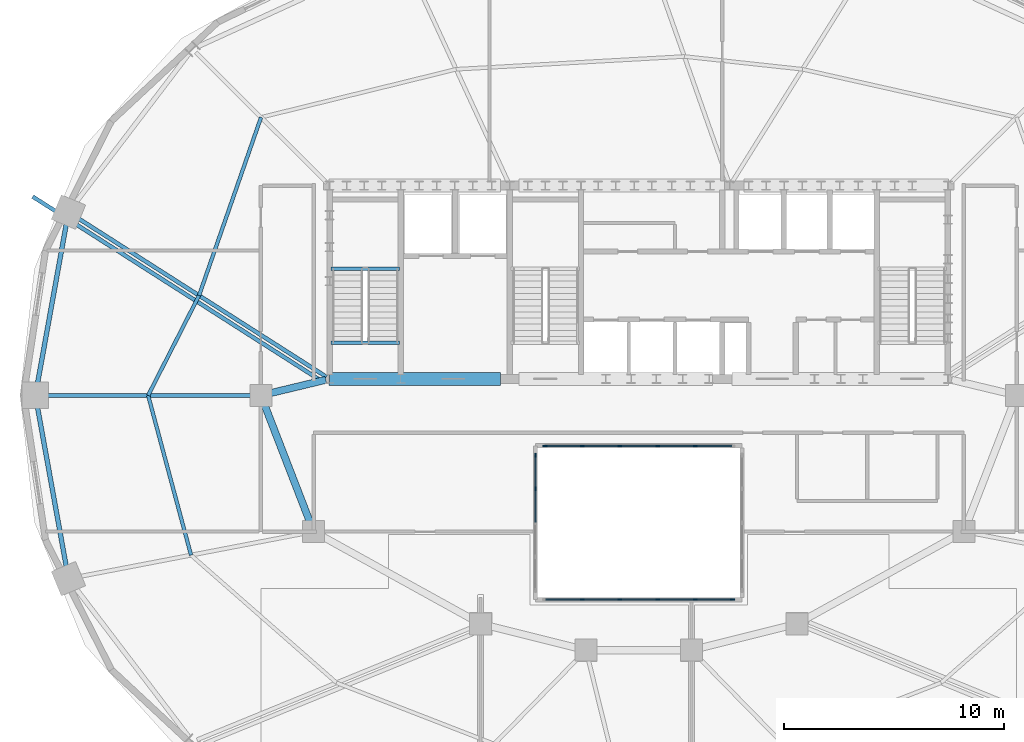
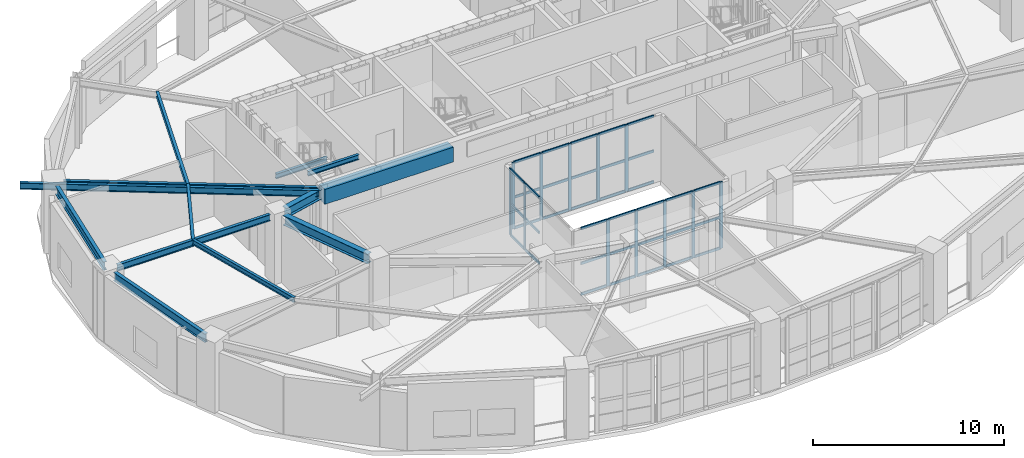
# One storey, part 4 of 16: 48 members, 13 beams, 3 elements without a shape of their own.
"""IFC4 building model written with IfcOpenShell, lengths in metres."""

import ifcopenshell
import ifcopenshell.guid

model = None  # the IFC model being written
_history = None  # IfcOwnerHistory: only IFC2X3 demands one
_inside = {}  # id of a spatial element -> (the spatial element, [elements in it])
_under = {}  # id of a project, library or spatial element -> (it, [spatial elements below it])
_declared = {}  # id of a project -> (the project, [libraries it declares])
_typed = {}  # id of a type object -> (the type object, [elements of that type])
_made_of = {}  # id of a material, layer set ... -> (it, [elements and type objects made of it])


def new_model(schema):
    """Start an empty IFC model of exactly this schema.

    Asked for "IFC4X3", IfcOpenShell would pick the latest addendum, in which some entities
    have other attributes; the version numbers below select the first issue.
    IFC2X3 requires an IfcOwnerHistory on every rooted entity: one is made here for all.
    """
    global model, _history
    if schema == "IFC4X3":
        model = ifcopenshell.file(schema_version=(4, 3, 0, 0))
    else:
        model = ifcopenshell.file(schema=schema)
    _inside.clear()
    _under.clear()
    _declared.clear()
    _typed.clear()
    _made_of.clear()
    _history = None
    if model.schema == "IFC2X3":
        org = make("IfcOrganization", Name="unknown")
        user = make(
            "IfcPersonAndOrganization",
            ThePerson=make("IfcPerson", FamilyName="unknown"),
            TheOrganization=org,
        )
        app = make(
            "IfcApplication",
            ApplicationDeveloper=org,
            Version="unknown",
            ApplicationFullName="unknown",
            ApplicationIdentifier="unknown",
        )
        _history = make(
            "IfcOwnerHistory",
            OwningUser=user,
            OwningApplication=app,
            ChangeAction="ADDED",
            CreationDate=0,
        )
    return model


def make(cls, **values):
    """One entity of the class cls with the attributes given. An attribute that is None is left unset."""
    return model.create_entity(
        cls, **{name: value for name, value in values.items() if value is not None}
    )


def rooted(cls, **values):
    """An entity with a GlobalId (a new one), such as an element, a storey or a relation."""
    return make(cls, GlobalId=ifcopenshell.guid.new(), OwnerHistory=_history, **values)


def si_unit(unit_type, name, prefix=None):
    """IfcSIUnit, for example si_unit("LENGTHUNIT", "METRE", prefix="MILLI")."""
    return make("IfcSIUnit", UnitType=unit_type, Prefix=prefix, Name=name)


def assignment(units):
    """IfcUnitAssignment: the units of a project."""
    return None if units is None else make("IfcUnitAssignment", Units=units)


def point(xyz):
    """IfcCartesianPoint."""
    return None if xyz is None else make("IfcCartesianPoint", Coordinates=xyz)


def direction(xyz):
    """IfcDirection."""
    return None if xyz is None else make("IfcDirection", DirectionRatios=xyz)


def frame(location, z_axis=None, x_axis=None):
    """IfcAxis2Placement3D, a coordinate frame: its origin and axes. An axis left out is left unset."""
    return make(
        "IfcAxis2Placement3D",
        Location=point(location),
        Axis=direction(z_axis),
        RefDirection=direction(x_axis),
    )


def frame_2d(location, x_axis=None):
    """IfcAxis2Placement2D, a coordinate frame in the plane: its origin and x axis."""
    return make(
        "IfcAxis2Placement2D", Location=point(location), RefDirection=direction(x_axis)
    )


def origin():
    """The frame at (0, 0, 0) with its axes left unset."""
    return frame((0.0, 0.0, 0.0))


def origin_2d():
    """The frame at (0, 0) in the plane with its x axis left unset."""
    return frame_2d((0.0, 0.0))


def place(relative_to, where):
    """IfcLocalPlacement: puts the frame where relative to a parent placement (None: the world)."""
    return make(
        "IfcLocalPlacement", PlacementRelTo=relative_to, RelativePlacement=where
    )


def context(
    kind, dimensions, precision=None, world=None, true_north=None, identifier=None
):
    """IfcGeometricRepresentationContext, for example the 3D "Model" context."""
    return make(
        "IfcGeometricRepresentationContext",
        ContextIdentifier=identifier,
        ContextType=kind,
        CoordinateSpaceDimension=dimensions,
        Precision=precision,
        WorldCoordinateSystem=world,
        TrueNorth=true_north,
    )


def subcontext(parent, identifier, kind, view, scale=None):
    """IfcGeometricRepresentationSubContext, for example "Body" below "Model"."""
    return make(
        "IfcGeometricRepresentationSubContext",
        ContextIdentifier=identifier,
        ContextType=kind,
        ParentContext=parent,
        TargetScale=scale,
        TargetView=view,
    )


def project(units=None, contexts=None):
    """IfcProject with its units and contexts."""
    return rooted(
        "IfcProject",
        Name="project",
        RepresentationContexts=contexts,
        UnitsInContext=assignment(units),
    )


def spatial(cls, under=None, at=None, **own):
    """A site, building, storey or space (cls), placed at a placement, below another one or the project."""
    s = rooted(cls, ObjectPlacement=at, **own)
    if under is not None:
        _under.setdefault(under.id(), (under, []))[1].append(s)
    return s


def profile(cls, at=None, kind="AREA", **sizes):
    """A parametric profile (cls). Its sizes go by their IFC names, for example OverallWidth=200.0."""
    return make(cls, ProfileType=kind, Position=at, **sizes)


def rectangle(**sizes):
    """IfcRectangleProfileDef."""
    return profile("IfcRectangleProfileDef", **sizes)


def i_section(**sizes):
    """IfcIShapeProfileDef."""
    return profile("IfcIShapeProfileDef", **sizes)


def extrude(swept, where, along, depth):
    """IfcExtrudedAreaSolid: the profile swept, set in the frame where, extruded along a direction by depth."""
    return make(
        "IfcExtrudedAreaSolid",
        SweptArea=swept,
        Position=where,
        ExtrudedDirection=direction(along),
        Depth=depth,
    )


def shape(context_of_items, identifier, shape_type, items):
    """IfcShapeRepresentation: the items that make up one representation, for example the "Body"."""
    return make(
        "IfcShapeRepresentation",
        ContextOfItems=context_of_items,
        RepresentationIdentifier=identifier,
        RepresentationType=shape_type,
        Items=items,
    )


def material(Name=None, Category=None):
    """IfcMaterial."""
    return make("IfcMaterial", Name=Name, Category=Category)


def material_profile(
    of_material, cross_section, Name=None, Category=None, Priority=None
):
    """IfcMaterialProfile: a cross section and its material."""
    return make(
        "IfcMaterialProfile",
        Name=Name,
        Material=of_material,
        Profile=cross_section,
        Priority=Priority,
        Category=Category,
    )


def profile_set(profiles, Name=None, composite=None):
    """IfcMaterialProfileSet."""
    return make(
        "IfcMaterialProfileSet",
        Name=Name,
        MaterialProfiles=profiles,
        CompositeProfile=composite,
    )


def made_of(thing, what):
    """Note that an element or type object is made of a material, layer set ...; save() writes the relation."""
    if what is not None:
        _made_of.setdefault(what.id(), (what, []))[1].append(thing)
    return thing


def type_object(cls, material=None, **own):
    """A type object (cls), such as IfcWallType, which elements share."""
    return made_of(rooted(cls, **own), material)


def element(
    cls,
    number,
    at=None,
    inside=None,
    cuts=None,
    type_object=None,
    material=None,
    context=None,
    identifier="Body",
    shape_type=None,
    held_by="IfcProductDefinitionShape",
    body=None,
    shapes=None,
    **own,
):
    """One element of the class cls, such as IfcWall. Its Tag is "e" and its number.

    at: its placement. inside: the storey or other place that contains it. cuts: it is an
    opening in that element (IfcRelVoidsElement). A single representation is given by context,
    identifier, shape_type and body (its items); several are given by shapes. held_by: the class
    of the entity that holds the representations. save() writes the other relations.
    """
    e = rooted(cls, Tag="e%d" % number, ObjectPlacement=at, **own)
    if body is not None:
        shapes = [shape(context, identifier, shape_type, body)]
    if shapes is not None:
        e.Representation = make(held_by, Representations=shapes)
    if inside is not None:
        _inside.setdefault(inside.id(), (inside, []))[1].append(e)
    if cuts is not None:
        rooted(
            "IfcRelVoidsElement", RelatingBuildingElement=cuts, RelatedOpeningElement=e
        )
    if type_object is not None:
        _typed.setdefault(type_object.id(), (type_object, []))[1].append(e)
    return made_of(e, material)


def aggregate(whole, parts):
    """IfcRelAggregates: a whole, such as a stair, and the parts it consists of."""
    return rooted("IfcRelAggregates", RelatingObject=whole, RelatedObjects=parts)


def save(model, path):
    """Write the relations noted so far, then the file.

    IfcRelAggregates (storeys below a building ...), IfcRelContainedInSpatialStructure (elements
    in a storey), IfcRelDefinesByType, IfcRelAssociatesMaterial and IfcRelDeclares: one each for
    every whole, place, type object, material and project.
    """
    for whole, parts in _under.values():
        aggregate(whole, parts)
    for where, things in _inside.values():
        rooted(
            "IfcRelContainedInSpatialStructure",
            RelatedElements=things,
            RelatingStructure=where,
        )
    for kind, things in _typed.values():
        rooted("IfcRelDefinesByType", RelatedObjects=things, RelatingType=kind)
    for what, things in _made_of.values():
        rooted("IfcRelAssociatesMaterial", RelatedObjects=things, RelatingMaterial=what)
    for by, libraries in _declared.values():
        rooted("IfcRelDeclares", RelatingContext=by, RelatedDefinitions=libraries)
    model.write(path)


model = new_model("IFC4")

# Units and contexts
model_context = context("Model", 3, precision=1e-05, world=origin(), true_north=direction((0.0, 1.0)))
body_context = subcontext(model_context, "Body", "Model", "MODEL_VIEW")
ifc_project = project(units=[si_unit("LENGTHUNIT", "METRE"), si_unit("AREAUNIT", "SQUARE_METRE"), si_unit("VOLUMEUNIT", "CUBIC_METRE"), si_unit("PLANEANGLEUNIT", "RADIAN"), si_unit("MASSUNIT", "GRAM", prefix="KILO")], contexts=[model_context])

# Site, building, storey
site_placement = place(None, origin())
site = spatial("IfcSite", under=ifc_project, at=site_placement, CompositionType="ELEMENT")
building_placement = place(site_placement, origin())
building = spatial("IfcBuilding", under=site, at=building_placement, Name="Haldorwick Loom Tower", CompositionType="ELEMENT")
storey_placement = place(building_placement, frame((0.0, 0.0, 200.35009765625)))
storey = spatial("IfcBuildingStorey", under=building, at=storey_placement, Name="L54", CompositionType="ELEMENT", Elevation=200.35009765625)

# Curtain wall, members
ifc_material_1 = material(Name="Thermally Broken Anodized Aluminium Curtain Wall Framing", Category="aluminium")
curtain_wall_type = type_object("IfcCurtainWallType", Name="ARC-CW-03", PredefinedType="NOTDEFINED", material=ifc_material_1)
curtain_wall_1_placement = place(storey_placement, origin())
curtain_wall_1 = element("IfcCurtainWall", 1, at=curtain_wall_1_placement, inside=storey, type_object=curtain_wall_type, Name="L54 Atrium Glazed Screen S", PredefinedType="NOTDEFINED")
ifc_material_profile_1 = material_profile(ifc_material_1, rectangle(XDim=0.06591796875, YDim=0.18505859375, at=origin_2d()), Name="ALU_MUL_66X185", Category="aluminium")
ifc_profile_set_1 = profile_set([ifc_material_profile_1], Name="Thermally Broken Anodized Aluminium Curtain Wall Framing")
member_type_1 = type_object("IfcMemberType", Name="ARC-CWM-03", PredefinedType="MULLION", material=ifc_profile_set_1)
member_1_placement = place(storey_placement, frame((40.26708984375, 16.699951171875, 0.0), z_axis=(0.0, 0.0, 1.0), x_axis=(0.0, -1.0, 0.0)))
member_1 = element("IfcMember", 2, at=member_1_placement, type_object=member_type_1, Name="CW-03 mullion 1", PredefinedType="MULLION", context=body_context, shape_type="SweptSolid", body=[
    extrude(rectangle(XDim=0.06591796875, YDim=0.18505859375, at=origin_2d()), origin(), (0.0, 0.0, 1.0), 4.260009765625),
])
member_2_placement = place(storey_placement, frame((38.580078125, 16.699951171875, 0.0), z_axis=(0.0, 0.0, 1.0), x_axis=(0.0, -1.0, 0.0)))
member_2 = element("IfcMember", 3, at=member_2_placement, type_object=member_type_1, Name="CW-03 mullion 2", PredefinedType="MULLION", context=body_context, shape_type="SweptSolid", body=[
    extrude(rectangle(XDim=0.06591796875, YDim=0.18505859375, at=origin_2d()), origin(), (0.0, 0.0, 1.0), 4.260009765625),
])
member_3_placement = place(storey_placement, frame((36.860107421875, 16.699951171875, 0.0), z_axis=(0.0, 0.0, 1.0), x_axis=(0.0, -1.0, 0.0)))
member_3 = element("IfcMember", 4, at=member_3_placement, type_object=member_type_1, Name="CW-03 mullion 3", PredefinedType="MULLION", context=body_context, shape_type="SweptSolid", body=[
    extrude(rectangle(XDim=0.06591796875, YDim=0.18505859375, at=origin_2d()), origin(), (0.0, 0.0, 1.0), 4.260009765625),
])
member_4_placement = place(storey_placement, frame((35.139892578125, 16.699951171875, 0.0), z_axis=(0.0, 0.0, 1.0), x_axis=(0.0, -1.0, 0.0)))
member_4 = element("IfcMember", 5, at=member_4_placement, type_object=member_type_1, Name="CW-03 mullion 4", PredefinedType="MULLION", context=body_context, shape_type="SweptSolid", body=[
    extrude(rectangle(XDim=0.06591796875, YDim=0.18505859375, at=origin_2d()), origin(), (0.0, 0.0, 1.0), 4.260009765625),
])
member_5_placement = place(storey_placement, frame((33.419921875, 16.699951171875, 0.0), z_axis=(0.0, 0.0, 1.0), x_axis=(0.0, -1.0, 0.0)))
member_5 = element("IfcMember", 6, at=member_5_placement, type_object=member_type_1, Name="CW-03 mullion 5", PredefinedType="MULLION", context=body_context, shape_type="SweptSolid", body=[
    extrude(rectangle(XDim=0.06591796875, YDim=0.18505859375, at=origin_2d()), origin(), (0.0, 0.0, 1.0), 4.260009765625),
])

curtain_wall_2_placement = place(storey_placement, origin())
curtain_wall_2 = element("IfcCurtainWall", 7, at=curtain_wall_2_placement, inside=storey, type_object=curtain_wall_type, Name="L54 Atrium Glazed Screen N", PredefinedType="NOTDEFINED")
member_6_placement = place(storey_placement, frame((31.73291015625, 23.699951171875, 0.0), z_axis=(0.0, 0.0, 1.0), x_axis=(0.0, 1.0, 0.0)))
member_6 = element("IfcMember", 8, at=member_6_placement, type_object=member_type_1, Name="CW-03 mullion 1", PredefinedType="MULLION", context=body_context, shape_type="SweptSolid", body=[
    extrude(rectangle(XDim=0.06591796875, YDim=0.18505859375, at=origin_2d()), origin(), (0.0, 0.0, 1.0), 4.260009765625),
])
member_7_placement = place(storey_placement, frame((33.419921875, 23.699951171875, 0.0), z_axis=(0.0, 0.0, 1.0), x_axis=(0.0, 1.0, 0.0)))
member_7 = element("IfcMember", 9, at=member_7_placement, type_object=member_type_1, Name="CW-03 mullion 2", PredefinedType="MULLION", context=body_context, shape_type="SweptSolid", body=[
    extrude(rectangle(XDim=0.06591796875, YDim=0.18505859375, at=origin_2d()), origin(), (0.0, 0.0, 1.0), 4.260009765625),
])
member_8_placement = place(storey_placement, frame((35.139892578125, 23.699951171875, 0.0), z_axis=(0.0, 0.0, 1.0), x_axis=(0.0, 1.0, 0.0)))
member_8 = element("IfcMember", 10, at=member_8_placement, type_object=member_type_1, Name="CW-03 mullion 3", PredefinedType="MULLION", context=body_context, shape_type="SweptSolid", body=[
    extrude(rectangle(XDim=0.06591796875, YDim=0.18505859375, at=origin_2d()), origin(), (0.0, 0.0, 1.0), 4.260009765625),
])
member_9_placement = place(storey_placement, frame((36.860107421875, 23.699951171875, 0.0), z_axis=(0.0, 0.0, 1.0), x_axis=(0.0, 1.0, 0.0)))
member_9 = element("IfcMember", 11, at=member_9_placement, type_object=member_type_1, Name="CW-03 mullion 4", PredefinedType="MULLION", context=body_context, shape_type="SweptSolid", body=[
    extrude(rectangle(XDim=0.06591796875, YDim=0.18505859375, at=origin_2d()), origin(), (0.0, 0.0, 1.0), 4.260009765625),
])
member_10_placement = place(storey_placement, frame((38.580078125, 23.699951171875, 0.0), z_axis=(0.0, 0.0, 1.0), x_axis=(0.0, 1.0, 0.0)))
member_10 = element("IfcMember", 12, at=member_10_placement, type_object=member_type_1, Name="CW-03 mullion 5", PredefinedType="MULLION", context=body_context, shape_type="SweptSolid", body=[
    extrude(rectangle(XDim=0.06591796875, YDim=0.18505859375, at=origin_2d()), origin(), (0.0, 0.0, 1.0), 4.260009765625),
])

curtain_wall_3_placement = place(storey_placement, origin())
curtain_wall_3 = element("IfcCurtainWall", 13, at=curtain_wall_3_placement, inside=storey, type_object=curtain_wall_type, Name="L54 Atrium Glazed Screen W", PredefinedType="NOTDEFINED")
member_11_placement = place(storey_placement, frame((31.300048828125, 21.75, 0.0), z_axis=(0.0, 0.0, 1.0), x_axis=(-1.0, 0.0, 0.0)))
member_11 = element("IfcMember", 14, at=member_11_placement, type_object=member_type_1, Name="CW-03 mullion 4", PredefinedType="MULLION", context=body_context, shape_type="SweptSolid", body=[
    extrude(rectangle(XDim=0.06591796875, YDim=0.18505859375, at=origin_2d()), origin(), (0.0, 0.0, 1.0), 4.260009765625),
])
member_12_placement = place(storey_placement, frame((31.300048828125, 23.26708984375, 0.0), z_axis=(0.0, 0.0, 1.0), x_axis=(-1.0, 0.0, 0.0)))
member_12 = element("IfcMember", 15, at=member_12_placement, type_object=member_type_1, Name="CW-03 mullion 5", PredefinedType="MULLION", context=body_context, shape_type="SweptSolid", body=[
    extrude(rectangle(XDim=0.06591796875, YDim=0.18505859375, at=origin_2d()), origin(), (0.0, 0.0, 1.0), 4.260009765625),
])

# Member
ifc_material_profile_2 = material_profile(ifc_material_1, rectangle(XDim=0.06591796875, YDim=0.1650390625, at=origin_2d()), Name="ALU_TRN_66X165", Category="aluminium")
ifc_profile_set_2 = profile_set([ifc_material_profile_2], Name="Thermally Broken Anodized Aluminium Curtain Wall Framing")
member_type_2 = type_object("IfcMemberType", Name="ARC-CWT-03", PredefinedType="USERDEFINED", material=ifc_profile_set_2)
member_13_placement = place(storey_placement, frame((40.23388671875, 16.699951171875, 0.032958984375), z_axis=(-1.0, 0.0, 0.0), x_axis=(0.0, -1.0, 0.0)))
member_13 = element("IfcMember", 16, at=member_13_placement, type_object=member_type_2, Name="CW-03 transom 1.1", ObjectType="TRANSOM", PredefinedType="USERDEFINED", context=body_context, shape_type="SweptSolid", body=[
    extrude(rectangle(XDim=0.06591796875, YDim=0.1650390625, at=origin_2d()), origin(), (0.0, 0.0, 1.0), 1.620849609375),
])

member_14_placement = place(storey_placement, frame((40.23388671875, 16.699951171875, 2.0), z_axis=(-1.0, 0.0, 0.0), x_axis=(0.0, -1.0, 0.0)))
member_14 = element("IfcMember", 17, at=member_14_placement, type_object=member_type_2, Name="CW-03 transom 1.2", ObjectType="TRANSOM", PredefinedType="USERDEFINED", context=body_context, shape_type="SweptSolid", body=[
    extrude(rectangle(XDim=0.06591796875, YDim=0.1650390625, at=origin_2d()), origin(), (0.0, 0.0, 1.0), 1.620849609375),
])

member_15_placement = place(storey_placement, frame((40.23388671875, 16.699951171875, 4.226806640625), z_axis=(-1.0, 0.0, 0.0), x_axis=(0.0, -1.0, 0.0)))
member_15 = element("IfcMember", 18, at=member_15_placement, type_object=member_type_2, Name="CW-03 transom 1.3", ObjectType="TRANSOM", PredefinedType="USERDEFINED", context=body_context, shape_type="SweptSolid", body=[
    extrude(rectangle(XDim=0.06591796875, YDim=0.1650390625, at=origin_2d()), origin(), (0.0, 0.0, 1.0), 1.620849609375),
])

member_16_placement = place(storey_placement, frame((38.547119140625, 16.699951171875, 0.032958984375), z_axis=(-1.0, 0.0, 0.0), x_axis=(0.0, -1.0, 0.0)))
member_16 = element("IfcMember", 19, at=member_16_placement, type_object=member_type_2, Name="CW-03 transom 2.1", ObjectType="TRANSOM", PredefinedType="USERDEFINED", context=body_context, shape_type="SweptSolid", body=[
    extrude(rectangle(XDim=0.06591796875, YDim=0.1650390625, at=origin_2d()), origin(), (0.0, 0.0, 1.0), 1.654052734375),
])

member_17_placement = place(storey_placement, frame((38.547119140625, 16.699951171875, 2.0), z_axis=(-1.0, 0.0, 0.0), x_axis=(0.0, -1.0, 0.0)))
member_17 = element("IfcMember", 20, at=member_17_placement, type_object=member_type_2, Name="CW-03 transom 2.2", ObjectType="TRANSOM", PredefinedType="USERDEFINED", context=body_context, shape_type="SweptSolid", body=[
    extrude(rectangle(XDim=0.06591796875, YDim=0.1650390625, at=origin_2d()), origin(), (0.0, 0.0, 1.0), 1.654052734375),
])

member_18_placement = place(storey_placement, frame((38.547119140625, 16.699951171875, 4.226806640625), z_axis=(-1.0, 0.0, 0.0), x_axis=(0.0, -1.0, 0.0)))
member_18 = element("IfcMember", 21, at=member_18_placement, type_object=member_type_2, Name="CW-03 transom 2.3", ObjectType="TRANSOM", PredefinedType="USERDEFINED", context=body_context, shape_type="SweptSolid", body=[
    extrude(rectangle(XDim=0.06591796875, YDim=0.1650390625, at=origin_2d()), origin(), (0.0, 0.0, 1.0), 1.654052734375),
])

member_19_placement = place(storey_placement, frame((36.826904296875, 16.699951171875, 0.032958984375), z_axis=(-1.0, 0.0, 0.0), x_axis=(0.0, -1.0, 0.0)))
member_19 = element("IfcMember", 22, at=member_19_placement, type_object=member_type_2, Name="CW-03 transom 3.1", ObjectType="TRANSOM", PredefinedType="USERDEFINED", context=body_context, shape_type="SweptSolid", body=[
    extrude(rectangle(XDim=0.06591796875, YDim=0.1650390625, at=origin_2d()), origin(), (0.0, 0.0, 1.0), 1.65380859375),
])

member_20_placement = place(storey_placement, frame((36.826904296875, 16.699951171875, 2.0), z_axis=(-1.0, 0.0, 0.0), x_axis=(0.0, -1.0, 0.0)))
member_20 = element("IfcMember", 23, at=member_20_placement, type_object=member_type_2, Name="CW-03 transom 3.2", ObjectType="TRANSOM", PredefinedType="USERDEFINED", context=body_context, shape_type="SweptSolid", body=[
    extrude(rectangle(XDim=0.06591796875, YDim=0.1650390625, at=origin_2d()), origin(), (0.0, 0.0, 1.0), 1.65380859375),
])

member_21_placement = place(storey_placement, frame((36.826904296875, 16.699951171875, 4.226806640625), z_axis=(-1.0, 0.0, 0.0), x_axis=(0.0, -1.0, 0.0)))
member_21 = element("IfcMember", 24, at=member_21_placement, type_object=member_type_2, Name="CW-03 transom 3.3", ObjectType="TRANSOM", PredefinedType="USERDEFINED", context=body_context, shape_type="SweptSolid", body=[
    extrude(rectangle(XDim=0.06591796875, YDim=0.1650390625, at=origin_2d()), origin(), (0.0, 0.0, 1.0), 1.65380859375),
])

member_22_placement = place(storey_placement, frame((35.10693359375, 16.699951171875, 0.032958984375), z_axis=(-1.0, 0.0, 0.0), x_axis=(0.0, -1.0, 0.0)))
member_22 = element("IfcMember", 25, at=member_22_placement, type_object=member_type_2, Name="CW-03 transom 4.1", ObjectType="TRANSOM", PredefinedType="USERDEFINED", context=body_context, shape_type="SweptSolid", body=[
    extrude(rectangle(XDim=0.06591796875, YDim=0.1650390625, at=origin_2d()), origin(), (0.0, 0.0, 1.0), 1.654052734375),
])

member_23_placement = place(storey_placement, frame((35.10693359375, 16.699951171875, 2.0), z_axis=(-1.0, 0.0, 0.0), x_axis=(0.0, -1.0, 0.0)))
member_23 = element("IfcMember", 26, at=member_23_placement, type_object=member_type_2, Name="CW-03 transom 4.2", ObjectType="TRANSOM", PredefinedType="USERDEFINED", context=body_context, shape_type="SweptSolid", body=[
    extrude(rectangle(XDim=0.06591796875, YDim=0.1650390625, at=origin_2d()), origin(), (0.0, 0.0, 1.0), 1.654052734375),
])

member_24_placement = place(storey_placement, frame((35.10693359375, 16.699951171875, 4.226806640625), z_axis=(-1.0, 0.0, 0.0), x_axis=(0.0, -1.0, 0.0)))
member_24 = element("IfcMember", 27, at=member_24_placement, type_object=member_type_2, Name="CW-03 transom 4.3", ObjectType="TRANSOM", PredefinedType="USERDEFINED", context=body_context, shape_type="SweptSolid", body=[
    extrude(rectangle(XDim=0.06591796875, YDim=0.1650390625, at=origin_2d()), origin(), (0.0, 0.0, 1.0), 1.654052734375),
])

member_25_placement = place(storey_placement, frame((33.386962890625, 16.699951171875, 0.032958984375), z_axis=(-1.0, 0.0, 0.0), x_axis=(0.0, -1.0, 0.0)))
member_25 = element("IfcMember", 28, at=member_25_placement, type_object=member_type_2, Name="CW-03 transom 5.1", ObjectType="TRANSOM", PredefinedType="USERDEFINED", context=body_context, shape_type="SweptSolid", body=[
    extrude(rectangle(XDim=0.06591796875, YDim=0.1650390625, at=origin_2d()), origin(), (0.0, 0.0, 1.0), 1.620849609375),
])

member_26_placement = place(storey_placement, frame((33.386962890625, 16.699951171875, 2.0), z_axis=(-1.0, 0.0, 0.0), x_axis=(0.0, -1.0, 0.0)))
member_26 = element("IfcMember", 29, at=member_26_placement, type_object=member_type_2, Name="CW-03 transom 5.2", ObjectType="TRANSOM", PredefinedType="USERDEFINED", context=body_context, shape_type="SweptSolid", body=[
    extrude(rectangle(XDim=0.06591796875, YDim=0.1650390625, at=origin_2d()), origin(), (0.0, 0.0, 1.0), 1.620849609375),
])

member_27_placement = place(storey_placement, frame((33.386962890625, 16.699951171875, 4.226806640625), z_axis=(-1.0, 0.0, 0.0), x_axis=(0.0, -1.0, 0.0)))
member_27 = element("IfcMember", 30, at=member_27_placement, type_object=member_type_2, Name="CW-03 transom 5.3", ObjectType="TRANSOM", PredefinedType="USERDEFINED", context=body_context, shape_type="SweptSolid", body=[
    extrude(rectangle(XDim=0.06591796875, YDim=0.1650390625, at=origin_2d()), origin(), (0.0, 0.0, 1.0), 1.620849609375),
])

aggregate(curtain_wall_1, [member_1, member_2, member_3, member_4, member_5, member_13, member_14, member_15, member_16, member_17, member_18, member_19, member_20, member_21, member_22, member_23, member_24, member_25, member_26, member_27])

member_28_placement = place(storey_placement, frame((31.76611328125, 23.699951171875, 0.032958984375), z_axis=(1.0, 0.0, 0.0), x_axis=(0.0, 1.0, 0.0)))
member_28 = element("IfcMember", 31, at=member_28_placement, type_object=member_type_2, Name="CW-03 transom 1.1", ObjectType="TRANSOM", PredefinedType="USERDEFINED", context=body_context, shape_type="SweptSolid", body=[
    extrude(rectangle(XDim=0.06591796875, YDim=0.1650390625, at=origin_2d()), origin(), (0.0, 0.0, 1.0), 1.620849609375),
])

member_29_placement = place(storey_placement, frame((31.76611328125, 23.699951171875, 2.0), z_axis=(1.0, 0.0, 0.0), x_axis=(0.0, 1.0, 0.0)))
member_29 = element("IfcMember", 32, at=member_29_placement, type_object=member_type_2, Name="CW-03 transom 1.2", ObjectType="TRANSOM", PredefinedType="USERDEFINED", context=body_context, shape_type="SweptSolid", body=[
    extrude(rectangle(XDim=0.06591796875, YDim=0.1650390625, at=origin_2d()), origin(), (0.0, 0.0, 1.0), 1.620849609375),
])

member_30_placement = place(storey_placement, frame((31.76611328125, 23.699951171875, 4.226806640625), z_axis=(1.0, 0.0, 0.0), x_axis=(0.0, 1.0, 0.0)))
member_30 = element("IfcMember", 33, at=member_30_placement, type_object=member_type_2, Name="CW-03 transom 1.3", ObjectType="TRANSOM", PredefinedType="USERDEFINED", context=body_context, shape_type="SweptSolid", body=[
    extrude(rectangle(XDim=0.06591796875, YDim=0.1650390625, at=origin_2d()), origin(), (0.0, 0.0, 1.0), 1.620849609375),
])

member_31_placement = place(storey_placement, frame((33.452880859375, 23.699951171875, 0.032958984375), z_axis=(1.0, 0.0, 0.0), x_axis=(0.0, 1.0, 0.0)))
member_31 = element("IfcMember", 34, at=member_31_placement, type_object=member_type_2, Name="CW-03 transom 2.1", ObjectType="TRANSOM", PredefinedType="USERDEFINED", context=body_context, shape_type="SweptSolid", body=[
    extrude(rectangle(XDim=0.06591796875, YDim=0.1650390625, at=origin_2d()), origin(), (0.0, 0.0, 1.0), 1.654052734375),
])

member_32_placement = place(storey_placement, frame((33.452880859375, 23.699951171875, 2.0), z_axis=(1.0, 0.0, 0.0), x_axis=(0.0, 1.0, 0.0)))
member_32 = element("IfcMember", 35, at=member_32_placement, type_object=member_type_2, Name="CW-03 transom 2.2", ObjectType="TRANSOM", PredefinedType="USERDEFINED", context=body_context, shape_type="SweptSolid", body=[
    extrude(rectangle(XDim=0.06591796875, YDim=0.1650390625, at=origin_2d()), origin(), (0.0, 0.0, 1.0), 1.654052734375),
])

member_33_placement = place(storey_placement, frame((33.452880859375, 23.699951171875, 4.226806640625), z_axis=(1.0, 0.0, 0.0), x_axis=(0.0, 1.0, 0.0)))
member_33 = element("IfcMember", 36, at=member_33_placement, type_object=member_type_2, Name="CW-03 transom 2.3", ObjectType="TRANSOM", PredefinedType="USERDEFINED", context=body_context, shape_type="SweptSolid", body=[
    extrude(rectangle(XDim=0.06591796875, YDim=0.1650390625, at=origin_2d()), origin(), (0.0, 0.0, 1.0), 1.654052734375),
])

member_34_placement = place(storey_placement, frame((35.173095703125, 23.699951171875, 0.032958984375), z_axis=(1.0, 0.0, 0.0), x_axis=(0.0, 1.0, 0.0)))
member_34 = element("IfcMember", 37, at=member_34_placement, type_object=member_type_2, Name="CW-03 transom 3.1", ObjectType="TRANSOM", PredefinedType="USERDEFINED", context=body_context, shape_type="SweptSolid", body=[
    extrude(rectangle(XDim=0.06591796875, YDim=0.1650390625, at=origin_2d()), origin(), (0.0, 0.0, 1.0), 1.65380859375),
])

member_35_placement = place(storey_placement, frame((35.173095703125, 23.699951171875, 2.0), z_axis=(1.0, 0.0, 0.0), x_axis=(0.0, 1.0, 0.0)))
member_35 = element("IfcMember", 38, at=member_35_placement, type_object=member_type_2, Name="CW-03 transom 3.2", ObjectType="TRANSOM", PredefinedType="USERDEFINED", context=body_context, shape_type="SweptSolid", body=[
    extrude(rectangle(XDim=0.06591796875, YDim=0.1650390625, at=origin_2d()), origin(), (0.0, 0.0, 1.0), 1.65380859375),
])

member_36_placement = place(storey_placement, frame((35.173095703125, 23.699951171875, 4.226806640625), z_axis=(1.0, 0.0, 0.0), x_axis=(0.0, 1.0, 0.0)))
member_36 = element("IfcMember", 39, at=member_36_placement, type_object=member_type_2, Name="CW-03 transom 3.3", ObjectType="TRANSOM", PredefinedType="USERDEFINED", context=body_context, shape_type="SweptSolid", body=[
    extrude(rectangle(XDim=0.06591796875, YDim=0.1650390625, at=origin_2d()), origin(), (0.0, 0.0, 1.0), 1.65380859375),
])

member_37_placement = place(storey_placement, frame((36.89306640625, 23.699951171875, 0.032958984375), z_axis=(1.0, 0.0, 0.0), x_axis=(0.0, 1.0, 0.0)))
member_37 = element("IfcMember", 40, at=member_37_placement, type_object=member_type_2, Name="CW-03 transom 4.1", ObjectType="TRANSOM", PredefinedType="USERDEFINED", context=body_context, shape_type="SweptSolid", body=[
    extrude(rectangle(XDim=0.06591796875, YDim=0.1650390625, at=origin_2d()), origin(), (0.0, 0.0, 1.0), 1.654052734375),
])

member_38_placement = place(storey_placement, frame((36.89306640625, 23.699951171875, 2.0), z_axis=(1.0, 0.0, 0.0), x_axis=(0.0, 1.0, 0.0)))
member_38 = element("IfcMember", 41, at=member_38_placement, type_object=member_type_2, Name="CW-03 transom 4.2", ObjectType="TRANSOM", PredefinedType="USERDEFINED", context=body_context, shape_type="SweptSolid", body=[
    extrude(rectangle(XDim=0.06591796875, YDim=0.1650390625, at=origin_2d()), origin(), (0.0, 0.0, 1.0), 1.654052734375),
])

member_39_placement = place(storey_placement, frame((36.89306640625, 23.699951171875, 4.226806640625), z_axis=(1.0, 0.0, 0.0), x_axis=(0.0, 1.0, 0.0)))
member_39 = element("IfcMember", 42, at=member_39_placement, type_object=member_type_2, Name="CW-03 transom 4.3", ObjectType="TRANSOM", PredefinedType="USERDEFINED", context=body_context, shape_type="SweptSolid", body=[
    extrude(rectangle(XDim=0.06591796875, YDim=0.1650390625, at=origin_2d()), origin(), (0.0, 0.0, 1.0), 1.654052734375),
])

member_40_placement = place(storey_placement, frame((38.613037109375, 23.699951171875, 0.032958984375), z_axis=(1.0, 0.0, 0.0), x_axis=(0.0, 1.0, 0.0)))
member_40 = element("IfcMember", 43, at=member_40_placement, type_object=member_type_2, Name="CW-03 transom 5.1", ObjectType="TRANSOM", PredefinedType="USERDEFINED", context=body_context, shape_type="SweptSolid", body=[
    extrude(rectangle(XDim=0.06591796875, YDim=0.1650390625, at=origin_2d()), origin(), (0.0, 0.0, 1.0), 1.620849609375),
])

member_41_placement = place(storey_placement, frame((38.613037109375, 23.699951171875, 2.0), z_axis=(1.0, 0.0, 0.0), x_axis=(0.0, 1.0, 0.0)))
member_41 = element("IfcMember", 44, at=member_41_placement, type_object=member_type_2, Name="CW-03 transom 5.2", ObjectType="TRANSOM", PredefinedType="USERDEFINED", context=body_context, shape_type="SweptSolid", body=[
    extrude(rectangle(XDim=0.06591796875, YDim=0.1650390625, at=origin_2d()), origin(), (0.0, 0.0, 1.0), 1.620849609375),
])

member_42_placement = place(storey_placement, frame((38.613037109375, 23.699951171875, 4.226806640625), z_axis=(1.0, 0.0, 0.0), x_axis=(0.0, 1.0, 0.0)))
member_42 = element("IfcMember", 45, at=member_42_placement, type_object=member_type_2, Name="CW-03 transom 5.3", ObjectType="TRANSOM", PredefinedType="USERDEFINED", context=body_context, shape_type="SweptSolid", body=[
    extrude(rectangle(XDim=0.06591796875, YDim=0.1650390625, at=origin_2d()), origin(), (0.0, 0.0, 1.0), 1.620849609375),
])

aggregate(curtain_wall_2, [member_6, member_7, member_8, member_9, member_10, member_28, member_29, member_30, member_31, member_32, member_33, member_34, member_35, member_36, member_37, member_38, member_39, member_40, member_41, member_42])

member_43_placement = place(storey_placement, frame((31.300048828125, 20.23291015625, 0.032958984375), z_axis=(0.0, 1.0, 0.0), x_axis=(-1.0, 0.0, 0.0)))
member_43 = element("IfcMember", 46, at=member_43_placement, type_object=member_type_2, Name="CW-03 transom 3.1", ObjectType="TRANSOM", PredefinedType="USERDEFINED", context=body_context, shape_type="SweptSolid", body=[
    extrude(rectangle(XDim=0.06591796875, YDim=0.1650390625, at=origin_2d()), origin(), (0.0, 0.0, 1.0), 1.484130859375),
])

member_44_placement = place(storey_placement, frame((31.300048828125, 20.23291015625, 2.0), z_axis=(0.0, 1.0, 0.0), x_axis=(-1.0, 0.0, 0.0)))
member_44 = element("IfcMember", 47, at=member_44_placement, type_object=member_type_2, Name="CW-03 transom 3.2", ObjectType="TRANSOM", PredefinedType="USERDEFINED", context=body_context, shape_type="SweptSolid", body=[
    extrude(rectangle(XDim=0.06591796875, YDim=0.1650390625, at=origin_2d()), origin(), (0.0, 0.0, 1.0), 1.484130859375),
])

member_45_placement = place(storey_placement, frame((31.300048828125, 20.23291015625, 4.226806640625), z_axis=(0.0, 1.0, 0.0), x_axis=(-1.0, 0.0, 0.0)))
member_45 = element("IfcMember", 48, at=member_45_placement, type_object=member_type_2, Name="CW-03 transom 3.3", ObjectType="TRANSOM", PredefinedType="USERDEFINED", context=body_context, shape_type="SweptSolid", body=[
    extrude(rectangle(XDim=0.06591796875, YDim=0.1650390625, at=origin_2d()), origin(), (0.0, 0.0, 1.0), 1.484130859375),
])

member_46_placement = place(storey_placement, frame((31.300048828125, 21.782958984375, 0.032958984375), z_axis=(0.0, 1.0, 0.0), x_axis=(-1.0, 0.0, 0.0)))
member_46 = element("IfcMember", 49, at=member_46_placement, type_object=member_type_2, Name="CW-03 transom 4.1", ObjectType="TRANSOM", PredefinedType="USERDEFINED", context=body_context, shape_type="SweptSolid", body=[
    extrude(rectangle(XDim=0.06591796875, YDim=0.1650390625, at=origin_2d()), origin(), (0.0, 0.0, 1.0), 1.450927734375),
])

member_47_placement = place(storey_placement, frame((31.300048828125, 21.782958984375, 2.0), z_axis=(0.0, 1.0, 0.0), x_axis=(-1.0, 0.0, 0.0)))
member_47 = element("IfcMember", 50, at=member_47_placement, type_object=member_type_2, Name="CW-03 transom 4.2", ObjectType="TRANSOM", PredefinedType="USERDEFINED", context=body_context, shape_type="SweptSolid", body=[
    extrude(rectangle(XDim=0.06591796875, YDim=0.1650390625, at=origin_2d()), origin(), (0.0, 0.0, 1.0), 1.450927734375),
])

member_48_placement = place(storey_placement, frame((31.300048828125, 21.782958984375, 4.226806640625), z_axis=(0.0, 1.0, 0.0), x_axis=(-1.0, 0.0, 0.0)))
member_48 = element("IfcMember", 51, at=member_48_placement, type_object=member_type_2, Name="CW-03 transom 4.3", ObjectType="TRANSOM", PredefinedType="USERDEFINED", context=body_context, shape_type="SweptSolid", body=[
    extrude(rectangle(XDim=0.06591796875, YDim=0.1650390625, at=origin_2d()), origin(), (0.0, 0.0, 1.0), 1.450927734375),
])

aggregate(curtain_wall_3, [member_11, member_12, member_43, member_44, member_45, member_46, member_47, member_48])

# Beams
ifc_material_2 = material(Name="Steel CSA G40.21 350W", Category="steel")
ifc_material_profile_3 = material_profile(ifc_material_2, i_section(OverallWidth=0.179931640625, OverallDepth=0.4130859375, WebThickness=0.009765625, FlangeThickness=0.01611328125, at=origin_2d()), Name="W410X74", Category="steel")
ifc_profile_set_3 = profile_set([ifc_material_profile_3], Name="Steel CSA G40.21 350W")
beam_type_1 = type_object("IfcBeamType", Name="STR-BM-BAL410", PredefinedType="BEAM", material=ifc_profile_set_3)
beam_1_placement = place(storey_placement, frame((21.62939453125, 26.60986328125, 4.053466796875), z_axis=(-0.842844376394, 0.538157372133, 0.0), x_axis=(-0.538157372133, -0.842844376394, 0.0)))
element("IfcBeam", 52, at=beam_1_placement, inside=storey, type_object=beam_type_1, Name="L54 Continuous Back-Spanned Balcony Beam 3", PredefinedType="BEAM", context=body_context, shape_type="SweptSolid", body=[
    extrude(i_section(OverallWidth=0.179931640625, OverallDepth=0.4130859375, WebThickness=0.009765625, FlangeThickness=0.01611328125, at=origin_2d()), origin(), (0.0, 0.0, 1.0), 15.680419921875),
])
ifc_material_3 = material(Name="Concrete C50 (50 MPa)", Category="concrete")
ifc_material_profile_4 = material_profile(ifc_material_3, rectangle(XDim=0.60009765625, YDim=0.949951171875, at=origin_2d()), Name="RC600X950", Category="concrete")
ifc_profile_set_4 = profile_set([ifc_material_profile_4], Name="Concrete C50 (50 MPa)")
beam_type_2 = type_object("IfcBeamType", Name="STR-BM-CB950", PredefinedType="LINTEL", material=ifc_profile_set_4)
beam_2_placement = place(storey_placement, frame((21.89990234375, 26.75, 3.784912109375), z_axis=(1.0, 0.0, 0.0), x_axis=(0.0, 1.0, 0.0)))
element("IfcBeam", 53, at=beam_2_placement, inside=storey, type_object=beam_type_2, Name="L54 Core Coupling Beam CB-S1", PredefinedType="LINTEL", context=body_context, shape_type="SweptSolid", body=[
    extrude(rectangle(XDim=0.60009765625, YDim=0.949951171875, at=origin_2d()), origin(), (0.0, 0.0, 1.0), 7.800048828125),
])
ifc_material_profile_5 = material_profile(ifc_material_2, i_section(OverallWidth=0.166015625, OverallDepth=0.31298828125, WebThickness=0.006591796875, FlangeThickness=0.01123046875, at=origin_2d()), Name="W310X45", Category="steel")
ifc_profile_set_5 = profile_set([ifc_material_profile_5], Name="Steel CSA G40.21 350W")
beam_type_3 = type_object("IfcBeamType", Name="STR-BM-J310", PredefinedType="JOIST", material=ifc_profile_set_5)
beam_3_placement = place(storey_placement, frame((18.80615234375, 38.657470703125, 4.103515625), z_axis=(-0.328550395803, -0.944486441098, 0.0), x_axis=(0.944486441098, -0.328550395803, 0.0)))
element("IfcBeam", 54, at=beam_3_placement, inside=storey, type_object=beam_type_3, Name="L54 Mid-Bay Secondary Joist 7", PredefinedType="JOIST", context=body_context, shape_type="SweptSolid", body=[
    extrude(i_section(OverallWidth=0.166015625, OverallDepth=0.31298828125, WebThickness=0.006591796875, FlangeThickness=0.01123046875, at=origin_2d()), origin(), (0.0, 0.0, 1.0), 8.587890625),
])
beam_4_placement = place(storey_placement, frame((15.984619140625, 30.54638671875, 4.103515625), z_axis=(-0.454203827517, -0.890897796085, 0.0), x_axis=(0.890897796085, -0.454203827517, 0.0)))
element("IfcBeam", 55, at=beam_4_placement, inside=storey, type_object=beam_type_3, Name="L54 Mid-Bay Secondary Joist 8", PredefinedType="JOIST", context=body_context, shape_type="SweptSolid", body=[
    extrude(i_section(OverallWidth=0.166015625, OverallDepth=0.31298828125, WebThickness=0.006591796875, FlangeThickness=0.01123046875, at=origin_2d()), origin(), (0.0, 0.0, 1.0), 5.103271484375),
])
beam_5_placement = place(storey_placement, frame((13.666748046875, 26.0, 4.103515625), z_axis=(0.259353588718, -0.965782437208, 0.0), x_axis=(0.965782437208, 0.259353588718, 0.0)))
element("IfcBeam", 56, at=beam_5_placement, inside=storey, type_object=beam_type_3, Name="L54 Mid-Bay Secondary Joist 9", PredefinedType="JOIST", context=body_context, shape_type="SweptSolid", body=[
    extrude(i_section(OverallWidth=0.166015625, OverallDepth=0.31298828125, WebThickness=0.006591796875, FlangeThickness=0.01123046875, at=origin_2d()), origin(), (0.0, 0.0, 1.0), 7.52880859375),
])
ifc_material_profile_6 = material_profile(ifc_material_2, i_section(OverallWidth=0.179931640625, OverallDepth=0.4130859375, WebThickness=0.009765625, FlangeThickness=0.01611328125, at=origin_2d()), Name="W410X74", Category="steel")
ifc_profile_set_6 = profile_set([ifc_material_profile_6], Name="Steel CSA G40.21 350W")
beam_type_4 = type_object("IfcBeamType", Name="STR-BM-J410", PredefinedType="JOIST", material=ifc_profile_set_6)
beam_6_placement = place(storey_placement, frame((21.780029296875, 26.845703125, 4.053466796875), z_axis=(-0.842836647066, 0.538169477361, 0.0), x_axis=(-0.538169477361, -0.842836647066, 0.0)))
element("IfcBeam", 57, at=beam_6_placement, inside=storey, type_object=beam_type_4, Name="L54 Radial Floor Girder 8", PredefinedType="JOIST", context=body_context, shape_type="SweptSolid", body=[
    extrude(i_section(OverallWidth=0.179931640625, OverallDepth=0.4130859375, WebThickness=0.009765625, FlangeThickness=0.01611328125, at=origin_2d()), origin(), (0.0, 0.0, 1.0), 13.410400390625),
])
beam_7_placement = place(storey_placement, frame((18.324951171875, 26.0, 4.053466796875), z_axis=(-1.0, 0.0, 0.0), x_axis=(0.0, -1.0, 0.0)))
element("IfcBeam", 58, at=beam_7_placement, inside=storey, type_object=beam_type_4, Name="L54 Radial Floor Girder 9", PredefinedType="JOIST", context=body_context, shape_type="SweptSolid", body=[
    extrude(i_section(OverallWidth=0.179931640625, OverallDepth=0.4130859375, WebThickness=0.009765625, FlangeThickness=0.01611328125, at=origin_2d()), origin(), (0.0, 0.0, 1.0), 9.271240234375),
])
ifc_material_profile_7 = material_profile(ifc_material_2, i_section(OverallWidth=0.2119140625, OverallDepth=0.5439453125, WebThickness=0.01318359375, FlangeThickness=0.021240234375, at=origin_2d()), Name="W530X123", Category="steel")
ifc_profile_set_7 = profile_set([ifc_material_profile_7], Name="Steel CSA G40.21 350W")
beam_type_5 = type_object("IfcBeamType", Name="STR-BM-SP530", PredefinedType="SPANDREL", material=ifc_profile_set_7)
for number, where, z_axis, x_axis, name in (
    (59, (9.94677734375, 33.830810546875, 3.98779296875), (-0.1775911332, -0.984104359003, 0.0), (0.984104359003, -0.1775911332, 0.0), "L54 Perimeter Spandrel 8"),
    (60, (8.6259765625, 25.48828125, 3.98779296875), (0.1775911332, -0.984104359003, 0.0), (0.984104359003, 0.1775911332, 0.0), "L54 Perimeter Spandrel 9"),
):
    element("IfcBeam", number, at=place(storey_placement, frame(where, z_axis=z_axis, x_axis=x_axis)), inside=storey, type_object=beam_type_5, Name=name, PredefinedType="SPANDREL", context=body_context, shape_type="SweptSolid", body=[
        extrude(i_section(OverallWidth=0.2119140625, OverallDepth=0.5439453125, WebThickness=0.01318359375, FlangeThickness=0.021240234375, at=origin_2d()), origin(), (0.0, 0.0, 1.0), 7.437255859375),
    ])
ifc_material_profile_8 = material_profile(ifc_material_2, i_section(OverallWidth=0.166015625, OverallDepth=0.31298828125, WebThickness=0.006591796875, FlangeThickness=0.01123046875, at=origin_2d()), Name="W310X45", Category="steel")
ifc_profile_set_8 = profile_set([ifc_material_profile_8], Name="Steel CSA G40.21 350W")
beam_type_6 = type_object("IfcBeamType", Name="STR-BM-STRM", PredefinedType="BEAM", material=ifc_profile_set_8)
for number, where, z_axis, x_axis, name in (
    (61, (21.989990234375, 28.39990234375, 4.103515625), (1.0, 0.0, 0.0), (0.0, 1.0, 0.0), "L54 Stair ST-01 Landing Edge Trimmer"),
    (62, (21.989990234375, 31.760009765625, 1.893310546875), (1.0, 0.0, 0.0), (0.0, 1.0, 0.0), "L54 Stair ST-01 Half-Landing Trimmer 1"),
):
    element("IfcBeam", number, at=place(storey_placement, frame(where, z_axis=z_axis, x_axis=x_axis)), inside=storey, type_object=beam_type_6, Name=name, PredefinedType="BEAM", context=body_context, shape_type="SweptSolid", body=[
        extrude(i_section(OverallWidth=0.166015625, OverallDepth=0.31298828125, WebThickness=0.006591796875, FlangeThickness=0.01123046875, at=origin_2d()), origin(), (0.0, 0.0, 1.0), 3.1201171875),
    ])
ifc_material_profile_9 = material_profile(ifc_material_2, i_section(OverallWidth=0.324951171875, OverallDepth=0.615966796875, WebThickness=0.013916015625, FlangeThickness=0.021484375, at=origin_2d()), Name="W610X174", Category="steel")
ifc_profile_set_9 = profile_set([ifc_material_profile_9], Name="Steel CSA G40.21 350W")
beam_type_7 = type_object("IfcBeamType", Name="STR-BM-W610A", PredefinedType="BEAM", material=ifc_profile_set_9)
beam_8_placement = place(storey_placement, frame((21.028564453125, 20.242919921875, 3.951904296875), z_axis=(-0.36101093026, 0.93256158415, 0.0), x_axis=(-0.93256158415, -0.36101093026, 0.0)))
element("IfcBeam", 63, at=beam_8_placement, inside=storey, type_object=beam_type_7, Name="L54 Inner Ring Girder 8", PredefinedType="BEAM", context=body_context, shape_type="SweptSolid", body=[
    extrude(i_section(OverallWidth=0.324951171875, OverallDepth=0.615966796875, WebThickness=0.013916015625, FlangeThickness=0.021484375, at=origin_2d()), origin(), (0.0, 0.0, 1.0), 5.6982421875),
])
beam_9_placement = place(storey_placement, frame((19.261962890625, 26.110595703125, 3.951904296875), z_axis=(0.972464127734, 0.233052612665, 0.0), x_axis=(-0.233052612665, 0.972464127734, 0.0)))
element("IfcBeam", 64, at=beam_9_placement, inside=storey, type_object=beam_type_7, Name="L54 Inner Ring Girder 9", PredefinedType="BEAM", context=body_context, shape_type="SweptSolid", body=[
    extrude(i_section(OverallWidth=0.324951171875, OverallDepth=0.615966796875, WebThickness=0.013916015625, FlangeThickness=0.021484375, at=origin_2d()), origin(), (0.0, 0.0, 1.0), 2.5654296875),
])

save(model, "model.ifc")
